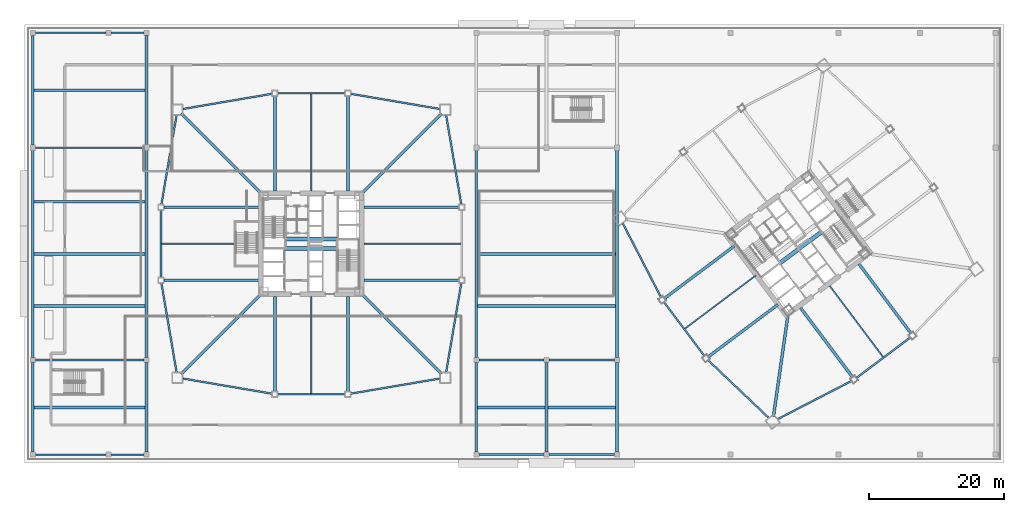
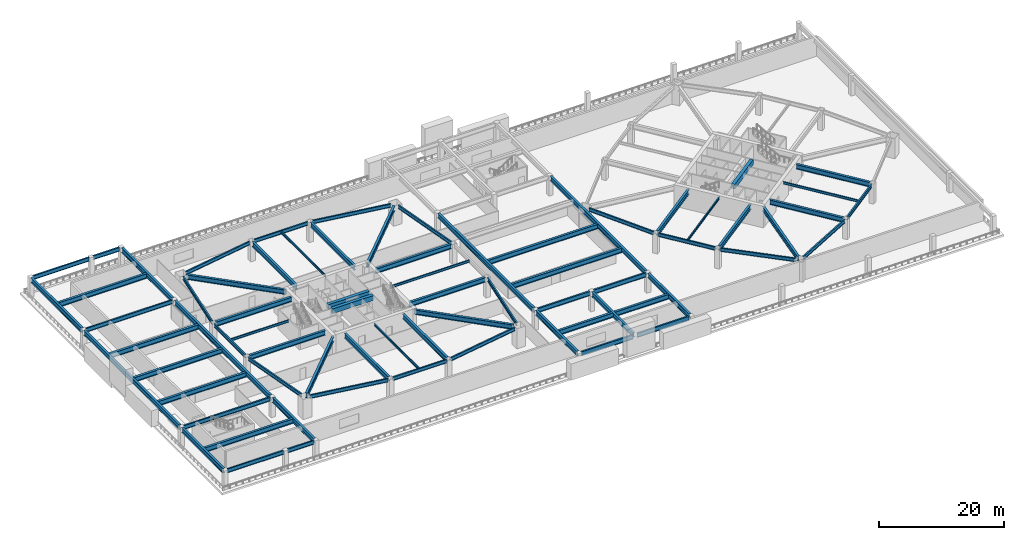
# One storey, part 3 of 20: 71 beams.
"""IFC4 building model written with IfcOpenShell, lengths in metres."""

from ifc_helpers import new_model, si_unit, direction, frame, origin, origin_2d, place, context, subcontext, project, spatial, rectangle, i_section, extrude, material, material_profile, profile_set, type_object, element, save


model = new_model("IFC4")

# Units and contexts
model_context = context("Model", 3, precision=1e-05, world=origin(), true_north=direction((0.0, 1.0)))
body_context = subcontext(model_context, "Body", "Model", "MODEL_VIEW")
ifc_project = project(units=[si_unit("LENGTHUNIT", "METRE"), si_unit("AREAUNIT", "SQUARE_METRE"), si_unit("VOLUMEUNIT", "CUBIC_METRE"), si_unit("PLANEANGLEUNIT", "RADIAN"), si_unit("MASSUNIT", "GRAM", prefix="KILO")], contexts=[model_context])

# Site, building, storey
site_placement = place(None, origin())
site = spatial("IfcSite", under=ifc_project, at=site_placement, CompositionType="ELEMENT")
building_placement = place(site_placement, origin())
building = spatial("IfcBuilding", under=site, at=building_placement, Name="Tashvorn Skyway Center", CompositionType="ELEMENT")
storey_placement = place(building_placement, frame((0.0, 0.0, 15.60009765625)))
storey = spatial("IfcBuildingStorey", under=building, at=storey_placement, Name="L03", CompositionType="ELEMENT", Elevation=15.60009765625)

# Beams
ifc_material_1 = material(Name="Steel ASTM A992 Grade 50", Category="steel")
ifc_material_profile_1 = material_profile(ifc_material_1, i_section(OverallWidth=0.26708984375, OverallDepth=0.779052734375, WebThickness=0.0166015625, FlangeThickness=0.030029296875, at=origin_2d()), Name="W30X148")
ifc_profile_set_1 = profile_set([ifc_material_profile_1], Name="Steel ASTM A992 Grade 50")
beam_type_1 = type_object("IfcBeamType", Name="BM-BEAM-W30X148", PredefinedType="BEAM", material=ifc_profile_set_1)
beam_1_placement = place(storey_placement, frame((1.169921875, 0.800048828125, 3.510498046875), z_axis=(1.0, 0.0, 0.0), x_axis=(0.0, 1.0, 0.0)))
element("IfcBeam", 1, at=beam_1_placement, inside=storey, type_object=beam_type_1, Name="L03 West Edge Girder A 01", PredefinedType="BEAM", context=body_context, shape_type="SweptSolid", body=[
    extrude(i_section(OverallWidth=0.26708984375, OverallDepth=0.779052734375, WebThickness=0.0166015625, FlangeThickness=0.030029296875, at=origin_2d()), origin(), (0.0, 0.0, 1.0), 10.4599609375),
])
beam_2_placement = place(storey_placement, frame((12.3701171875, 0.800048828125, 3.510498046875), z_axis=(1.0, 0.0, 0.0), x_axis=(0.0, 1.0, 0.0)))
element("IfcBeam", 2, at=beam_2_placement, inside=storey, type_object=beam_type_1, Name="L03 West Edge Girder B 01", PredefinedType="BEAM", context=body_context, shape_type="SweptSolid", body=[
    extrude(i_section(OverallWidth=0.26708984375, OverallDepth=0.779052734375, WebThickness=0.0166015625, FlangeThickness=0.030029296875, at=origin_2d()), origin(), (0.0, 0.0, 1.0), 4.85986328125),
])
for number, where, z_axis, x_axis, name in (
    (3, (1.169921875, 14.800048828125, 3.510498046875), (1.0, 0.0, 0.0), (0.0, 1.0, 0.0), "L03 West Auditorium Span Girder 03"),
    (4, (1.169921875, 46.199951171875, 3.510498046875), (1.0, 0.0, 0.0), (0.0, 1.0, 0.0), "L03 West Auditorium Span Girder 07"),
):
    element("IfcBeam", number, at=place(storey_placement, frame(where, z_axis=z_axis, x_axis=x_axis)), inside=storey, type_object=beam_type_1, Name=name, PredefinedType="BEAM", context=body_context, shape_type="SweptSolid", body=[
        extrude(i_section(OverallWidth=0.26708984375, OverallDepth=0.779052734375, WebThickness=0.0166015625, FlangeThickness=0.030029296875, at=origin_2d()), origin(), (0.0, 0.0, 1.0), 16.06005859375),
    ])
beam_3_placement = place(storey_placement, frame((1.169921875, 63.199951171875, 3.510498046875), z_axis=(1.0, 0.0, 0.0), x_axis=(0.0, 1.0, 0.0)))
element("IfcBeam", 5, at=beam_3_placement, inside=storey, type_object=beam_type_1, Name="L03 West Edge Girder A 09", PredefinedType="BEAM", context=body_context, shape_type="SweptSolid", body=[
    extrude(i_section(OverallWidth=0.26708984375, OverallDepth=0.779052734375, WebThickness=0.0166015625, FlangeThickness=0.030029296875, at=origin_2d()), origin(), (0.0, 0.0, 1.0), 10.4599609375),
])
beam_4_placement = place(storey_placement, frame((12.3701171875, 63.199951171875, 3.510498046875), z_axis=(1.0, 0.0, 0.0), x_axis=(0.0, 1.0, 0.0)))
element("IfcBeam", 6, at=beam_4_placement, inside=storey, type_object=beam_type_1, Name="L03 West Edge Girder B 09", PredefinedType="BEAM", context=body_context, shape_type="SweptSolid", body=[
    extrude(i_section(OverallWidth=0.26708984375, OverallDepth=0.779052734375, WebThickness=0.0166015625, FlangeThickness=0.030029296875, at=origin_2d()), origin(), (0.0, 0.0, 1.0), 4.85986328125),
])
ifc_material_profile_2 = material_profile(ifc_material_1, i_section(OverallWidth=0.2919921875, OverallDepth=0.85888671875, WebThickness=0.01708984375, FlangeThickness=0.031005859375, at=origin_2d()), Name="W33X169")
ifc_profile_set_2 = profile_set([ifc_material_profile_2], Name="Steel ASTM A992 Grade 50")
beam_type_2 = type_object("IfcBeamType", Name="BM-BEAM-W33X169", PredefinedType="BEAM", material=ifc_profile_set_2)
beam_5_placement = place(storey_placement, frame((66.77001953125, 0.800048828125, 3.470458984375), z_axis=(1.0, 0.0, 0.0), x_axis=(0.0, 1.0, 0.0)))
element("IfcBeam", 7, at=beam_5_placement, inside=storey, type_object=beam_type_2, Name="L03 Central Podium Girder A 01", PredefinedType="BEAM", context=body_context, shape_type="SweptSolid", body=[
    extrude(i_section(OverallWidth=0.2919921875, OverallDepth=0.85888671875, WebThickness=0.01708984375, FlangeThickness=0.031005859375, at=origin_2d()), origin(), (0.0, 0.0, 1.0), 9.659912109375),
])
beam_6_placement = place(storey_placement, frame((77.169921875, 0.800048828125, 3.470458984375), z_axis=(1.0, 0.0, 0.0), x_axis=(0.0, 1.0, 0.0)))
element("IfcBeam", 8, at=beam_6_placement, inside=storey, type_object=beam_type_2, Name="L03 Central Podium Girder B 01", PredefinedType="BEAM", context=body_context, shape_type="SweptSolid", body=[
    extrude(i_section(OverallWidth=0.2919921875, OverallDepth=0.85888671875, WebThickness=0.01708984375, FlangeThickness=0.031005859375, at=origin_2d()), origin(), (0.0, 0.0, 1.0), 9.66015625),
])
beam_7_placement = place(storey_placement, frame((66.77001953125, 14.800048828125, 3.470458984375), z_axis=(1.0, 0.0, 0.0), x_axis=(0.0, 1.0, 0.0)))
element("IfcBeam", 9, at=beam_7_placement, inside=storey, type_object=beam_type_2, Name="L03 Central Podium Girder A 03", PredefinedType="BEAM", context=body_context, shape_type="SweptSolid", body=[
    extrude(i_section(OverallWidth=0.2919921875, OverallDepth=0.85888671875, WebThickness=0.01708984375, FlangeThickness=0.031005859375, at=origin_2d()), origin(), (0.0, 0.0, 1.0), 9.659912109375),
])
beam_8_placement = place(storey_placement, frame((77.169921875, 14.800048828125, 3.470458984375), z_axis=(1.0, 0.0, 0.0), x_axis=(0.0, 1.0, 0.0)))
element("IfcBeam", 10, at=beam_8_placement, inside=storey, type_object=beam_type_2, Name="L03 Central Podium Girder B 03", PredefinedType="BEAM", context=body_context, shape_type="SweptSolid", body=[
    extrude(i_section(OverallWidth=0.2919921875, OverallDepth=0.85888671875, WebThickness=0.01708984375, FlangeThickness=0.031005859375, at=origin_2d()), origin(), (0.0, 0.0, 1.0), 9.66015625),
])
ifc_material_2 = material(Name="Steel ASTM A913 Grade 65", Category="steel")
ifc_material_profile_3 = material_profile(ifc_material_2, i_section(OverallWidth=0.4189453125, OverallDepth=0.927001953125, WebThickness=0.019287109375, FlangeThickness=0.031982421875, at=origin_2d()), Name="W36X231")
ifc_profile_set_3 = profile_set([ifc_material_profile_3], Name="Steel ASTM A913 Grade 65")
beam_type_3 = type_object("IfcBeamType", Name="BM-BEAM-W36X231", PredefinedType="BEAM", material=ifc_profile_set_3)
for number, where, z_axis, x_axis, name in (
    (11, (22.76220703125, 12.76220703125, 3.4365234375), (0.707106781187, 0.707106781187, 0.0), (-0.707106781187, 0.707106781187, 0.0), "Tower 1 L03 Primary Floor Girder MC-SW"),
    (12, (61.23779296875, 12.76220703125, 3.4365234375), (-0.707106781187, 0.707106781187, 0.0), (-0.707106781187, -0.707106781187, 0.0), "Tower 1 L03 Primary Floor Girder MC-SE"),
    (13, (61.23779296875, 51.23779296875, 3.4365234375), (-0.707106781187, -0.707106781187, 0.0), (0.707106781187, -0.707106781187, 0.0), "Tower 1 L03 Primary Floor Girder MC-NE"),
    (14, (22.76220703125, 51.23779296875, 3.4365234375), (0.707106781187, -0.707106781187, 0.0), (0.707106781187, 0.707106781187, 0.0), "Tower 1 L03 Primary Floor Girder MC-NW"),
):
    element("IfcBeam", number, at=place(storey_placement, frame(where, z_axis=z_axis, x_axis=x_axis)), inside=storey, type_object=beam_type_3, Name=name, PredefinedType="BEAM", context=body_context, shape_type="SweptSolid", body=[
        extrude(i_section(OverallWidth=0.4189453125, OverallDepth=0.927001953125, WebThickness=0.019287109375, FlangeThickness=0.031982421875, at=origin_2d()), origin(), (0.0, 0.0, 1.0), 16.591064453125),
    ])
for number, where, z_axis, x_axis, name in (
    (15, (36.60009765625, 10.169921875, 3.4365234375), (0.0, 1.0, 0.0), (-1.0, 0.0, 0.0), "Tower 1 L03 Primary Floor Girder FC-S1"),
    (16, (47.39990234375, 10.169921875, 3.4365234375), (0.0, 1.0, 0.0), (-1.0, 0.0, 0.0), "Tower 1 L03 Primary Floor Girder FC-S2"),
    (17, (63.830078125, 26.60009765625, 3.4365234375), (-1.0, 0.0, 0.0), (0.0, -1.0, 0.0), "Tower 1 L03 Primary Floor Girder FC-E1"),
    (18, (63.830078125, 37.39990234375, 3.4365234375), (-1.0, 0.0, 0.0), (0.0, -1.0, 0.0), "Tower 1 L03 Primary Floor Girder FC-E2"),
    (19, (47.39990234375, 53.830078125, 3.4365234375), (0.0, -1.0, 0.0), (1.0, 0.0, 0.0), "Tower 1 L03 Primary Floor Girder FC-N1"),
    (20, (36.60009765625, 53.830078125, 3.4365234375), (0.0, -1.0, 0.0), (1.0, 0.0, 0.0), "Tower 1 L03 Primary Floor Girder FC-N2"),
    (21, (20.169921875, 37.39990234375, 3.4365234375), (1.0, 0.0, 0.0), (0.0, 1.0, 0.0), "Tower 1 L03 Primary Floor Girder FC-W1"),
    (22, (20.169921875, 26.60009765625, 3.4365234375), (1.0, 0.0, 0.0), (0.0, 1.0, 0.0), "Tower 1 L03 Primary Floor Girder FC-W2"),
):
    element("IfcBeam", number, at=place(storey_placement, frame(where, z_axis=z_axis, x_axis=x_axis)), inside=storey, type_object=beam_type_3, Name=name, PredefinedType="BEAM", context=body_context, shape_type="SweptSolid", body=[
        extrude(i_section(OverallWidth=0.4189453125, OverallDepth=0.927001953125, WebThickness=0.019287109375, FlangeThickness=0.031982421875, at=origin_2d()), origin(), (0.0, 0.0, 1.0), 14.050048828125),
    ])
beam_9_placement = place(storey_placement, frame((110.3525390625, 6.467041015625, 3.4365234375), z_axis=(0.141414599991, 0.989950458816, 0.0), x_axis=(-0.989950458816, 0.141414599991, 0.0)))
element("IfcBeam", 23, at=beam_9_placement, inside=storey, type_object=beam_type_3, Name="Tower 2 L03 Primary Floor Girder MC-SW", PredefinedType="BEAM", context=body_context, shape_type="SweptSolid", body=[
    extrude(i_section(OverallWidth=0.4189453125, OverallDepth=0.927001953125, WebThickness=0.019287109375, FlangeThickness=0.031982421875, at=origin_2d()), origin(), (0.0, 0.0, 1.0), 15.177001953125),
])
beam_10_placement = place(storey_placement, frame((122.05810546875, 12.256103515625, 3.4365234375), z_axis=(-0.600018239213, 0.799986320265, 0.0), x_axis=(-0.799986320265, -0.600018239213, 0.0)))
element("IfcBeam", 24, at=beam_10_placement, inside=storey, type_object=beam_type_3, Name="Tower 2 L03 Primary Floor Girder FC-S1", PredefinedType="BEAM", context=body_context, shape_type="SweptSolid", body=[
    extrude(i_section(OverallWidth=0.4189453125, OverallDepth=0.927001953125, WebThickness=0.019287109375, FlangeThickness=0.031982421875, at=origin_2d()), origin(), (0.0, 0.0, 1.0), 12.849853515625),
])
beam_11_placement = place(storey_placement, frame((130.697998046875, 18.736083984375, 3.4365234375), z_axis=(-0.599996960112, 0.800002279907, 0.0), x_axis=(-0.800002279907, -0.599996960112, 0.0)))
element("IfcBeam", 25, at=beam_11_placement, inside=storey, type_object=beam_type_3, Name="Tower 2 L03 Primary Floor Girder FC-S2", PredefinedType="BEAM", context=body_context, shape_type="SweptSolid", body=[
    extrude(i_section(OverallWidth=0.4189453125, OverallDepth=0.927001953125, WebThickness=0.019287109375, FlangeThickness=0.031982421875, at=origin_2d()), origin(), (0.0, 0.0, 1.0), 12.85009765625),
])
beam_12_placement = place(storey_placement, frame((94.256103515625, 23.94189453125, 3.4365234375), z_axis=(0.799986320265, 0.600018239213, 0.0), x_axis=(-0.600018239213, 0.799986320265, 0.0)))
element("IfcBeam", 26, at=beam_12_placement, inside=storey, type_object=beam_type_3, Name="Tower 2 L03 Primary Floor Girder FC-W1", PredefinedType="BEAM", context=body_context, shape_type="SweptSolid", body=[
    extrude(i_section(OverallWidth=0.4189453125, OverallDepth=0.927001953125, WebThickness=0.019287109375, FlangeThickness=0.031982421875, at=origin_2d()), origin(), (0.0, 0.0, 1.0), 12.849853515625),
])
beam_13_placement = place(storey_placement, frame((100.736083984375, 15.302001953125, 3.4365234375), z_axis=(0.800002279907, 0.599996960112, 0.0), x_axis=(-0.599996960112, 0.800002279907, 0.0)))
element("IfcBeam", 27, at=beam_13_placement, inside=storey, type_object=beam_type_3, Name="Tower 2 L03 Primary Floor Girder FC-W2", PredefinedType="BEAM", context=body_context, shape_type="SweptSolid", body=[
    extrude(i_section(OverallWidth=0.4189453125, OverallDepth=0.927001953125, WebThickness=0.019287109375, FlangeThickness=0.031982421875, at=origin_2d()), origin(), (0.0, 0.0, 1.0), 12.85009765625),
])
beam_14_placement = place(storey_placement, frame((0.800048828125, 1.169921875, 3.4365234375), z_axis=(0.0, 1.0, 0.0), x_axis=(-1.0, 0.0, 0.0)))
element("IfcBeam", 28, at=beam_14_placement, inside=storey, type_object=beam_type_3, Name="L03 North-South Podium Girder 01-S", PredefinedType="BEAM", context=body_context, shape_type="SweptSolid", body=[
    extrude(i_section(OverallWidth=0.4189453125, OverallDepth=0.927001953125, WebThickness=0.019287109375, FlangeThickness=0.031982421875, at=origin_2d()), origin(), (0.0, 0.0, 1.0), 13.260009765625),
])
beam_15_placement = place(storey_placement, frame((0.800048828125, 15.169921875, 3.4365234375), z_axis=(0.0, 1.0, 0.0), x_axis=(-1.0, 0.0, 0.0)))
element("IfcBeam", 29, at=beam_15_placement, inside=storey, type_object=beam_type_3, Name="L03 North-South Podium Girder 01-M", PredefinedType="BEAM", context=body_context, shape_type="SweptSolid", body=[
    extrude(i_section(OverallWidth=0.4189453125, OverallDepth=0.927001953125, WebThickness=0.019287109375, FlangeThickness=0.031982421875, at=origin_2d()), origin(), (0.0, 0.0, 1.0), 30.66015625),
])
beam_16_placement = place(storey_placement, frame((0.800048828125, 46.570068359375, 3.4365234375), z_axis=(0.0, 1.0, 0.0), x_axis=(-1.0, 0.0, 0.0)))
element("IfcBeam", 30, at=beam_16_placement, inside=storey, type_object=beam_type_3, Name="L03 North-South Podium Girder 01-N", PredefinedType="BEAM", context=body_context, shape_type="SweptSolid", body=[
    extrude(i_section(OverallWidth=0.4189453125, OverallDepth=0.927001953125, WebThickness=0.019287109375, FlangeThickness=0.031982421875, at=origin_2d()), origin(), (0.0, 0.0, 1.0), 16.260009765625),
])
beam_17_placement = place(storey_placement, frame((17.60009765625, 1.169921875, 3.4365234375), z_axis=(0.0, 1.0, 0.0), x_axis=(-1.0, 0.0, 0.0)))
element("IfcBeam", 31, at=beam_17_placement, inside=storey, type_object=beam_type_3, Name="L03 North-South Podium Girder 02-S", PredefinedType="BEAM", context=body_context, shape_type="SweptSolid", body=[
    extrude(i_section(OverallWidth=0.4189453125, OverallDepth=0.927001953125, WebThickness=0.019287109375, FlangeThickness=0.031982421875, at=origin_2d()), origin(), (0.0, 0.0, 1.0), 13.260009765625),
])
beam_18_placement = place(storey_placement, frame((17.60009765625, 15.169921875, 3.4365234375), z_axis=(0.0, 1.0, 0.0), x_axis=(-1.0, 0.0, 0.0)))
element("IfcBeam", 32, at=beam_18_placement, inside=storey, type_object=beam_type_3, Name="L03 North-South Podium Girder 02-M", PredefinedType="BEAM", context=body_context, shape_type="SweptSolid", body=[
    extrude(i_section(OverallWidth=0.4189453125, OverallDepth=0.927001953125, WebThickness=0.019287109375, FlangeThickness=0.031982421875, at=origin_2d()), origin(), (0.0, 0.0, 1.0), 30.66015625),
])
beam_19_placement = place(storey_placement, frame((17.60009765625, 46.570068359375, 3.4365234375), z_axis=(0.0, 1.0, 0.0), x_axis=(-1.0, 0.0, 0.0)))
element("IfcBeam", 33, at=beam_19_placement, inside=storey, type_object=beam_type_3, Name="L03 North-South Podium Girder 02-N", PredefinedType="BEAM", context=body_context, shape_type="SweptSolid", body=[
    extrude(i_section(OverallWidth=0.4189453125, OverallDepth=0.927001953125, WebThickness=0.019287109375, FlangeThickness=0.031982421875, at=origin_2d()), origin(), (0.0, 0.0, 1.0), 16.260009765625),
])
beam_20_placement = place(storey_placement, frame((66.39990234375, 1.169921875, 3.4365234375), z_axis=(0.0, 1.0, 0.0), x_axis=(-1.0, 0.0, 0.0)))
element("IfcBeam", 34, at=beam_20_placement, inside=storey, type_object=beam_type_3, Name="L03 North-South Podium Girder 03-S", PredefinedType="BEAM", context=body_context, shape_type="SweptSolid", body=[
    extrude(i_section(OverallWidth=0.4189453125, OverallDepth=0.927001953125, WebThickness=0.019287109375, FlangeThickness=0.031982421875, at=origin_2d()), origin(), (0.0, 0.0, 1.0), 13.260009765625),
])
beam_21_placement = place(storey_placement, frame((66.39990234375, 15.169921875, 3.4365234375), z_axis=(0.0, 1.0, 0.0), x_axis=(-1.0, 0.0, 0.0)))
element("IfcBeam", 35, at=beam_21_placement, inside=storey, type_object=beam_type_3, Name="L03 North-South Podium Girder 03-M", PredefinedType="BEAM", context=body_context, shape_type="SweptSolid", body=[
    extrude(i_section(OverallWidth=0.4189453125, OverallDepth=0.927001953125, WebThickness=0.019287109375, FlangeThickness=0.031982421875, at=origin_2d()), origin(), (0.0, 0.0, 1.0), 30.66015625),
])
for number, where, z_axis, x_axis, name in (
    (36, (76.800048828125, 1.169921875, 3.4365234375), (0.0, 1.0, 0.0), (-1.0, 0.0, 0.0), "L03 North-South Podium Girder 04-S"),
    (37, (87.199951171875, 1.169921875, 3.4365234375), (0.0, 1.0, 0.0), (-1.0, 0.0, 0.0), "L03 North-South Podium Girder 05-S"),
):
    element("IfcBeam", number, at=place(storey_placement, frame(where, z_axis=z_axis, x_axis=x_axis)), inside=storey, type_object=beam_type_3, Name=name, PredefinedType="BEAM", context=body_context, shape_type="SweptSolid", body=[
        extrude(i_section(OverallWidth=0.4189453125, OverallDepth=0.927001953125, WebThickness=0.019287109375, FlangeThickness=0.031982421875, at=origin_2d()), origin(), (0.0, 0.0, 1.0), 13.260009765625),
    ])
beam_22_placement = place(storey_placement, frame((87.199951171875, 15.169921875, 3.4365234375), z_axis=(0.0, 1.0, 0.0), x_axis=(-1.0, 0.0, 0.0)))
element("IfcBeam", 38, at=beam_22_placement, inside=storey, type_object=beam_type_3, Name="L03 North-South Podium Girder 05-M", PredefinedType="BEAM", context=body_context, shape_type="SweptSolid", body=[
    extrude(i_section(OverallWidth=0.4189453125, OverallDepth=0.927001953125, WebThickness=0.019287109375, FlangeThickness=0.031982421875, at=origin_2d()), origin(), (0.0, 0.0, 1.0), 30.66015625),
])
beam_23_placement = place(storey_placement, frame((1.00146484375, 7.800048828125, 3.4365234375), z_axis=(1.0, 0.0, 0.0), x_axis=(0.0, 1.0, 0.0)))
element("IfcBeam", 39, at=beam_23_placement, inside=storey, type_object=beam_type_3, Name="L03 West Auditorium Span Girder 02", PredefinedType="BEAM", context=body_context, shape_type="SweptSolid", body=[
    extrude(i_section(OverallWidth=0.4189453125, OverallDepth=0.927001953125, WebThickness=0.019287109375, FlangeThickness=0.031982421875, at=origin_2d()), origin(), (0.0, 0.0, 1.0), 16.39697265625),
])
beam_24_placement = place(storey_placement, frame((66.6015625, 7.800048828125, 3.4365234375), z_axis=(1.0, 0.0, 0.0), x_axis=(0.0, 1.0, 0.0)))
element("IfcBeam", 40, at=beam_24_placement, inside=storey, type_object=beam_type_3, Name="L03 Central Concourse Span Girder 02", PredefinedType="BEAM", context=body_context, shape_type="SweptSolid", body=[
    extrude(i_section(OverallWidth=0.4189453125, OverallDepth=0.927001953125, WebThickness=0.019287109375, FlangeThickness=0.031982421875, at=origin_2d()), origin(), (0.0, 0.0, 1.0), 20.39697265625),
])
beam_25_placement = place(storey_placement, frame((1.00146484375, 22.800048828125, 3.4365234375), z_axis=(1.0, 0.0, 0.0), x_axis=(0.0, 1.0, 0.0)))
element("IfcBeam", 41, at=beam_25_placement, inside=storey, type_object=beam_type_3, Name="L03 West Auditorium Span Girder 04", PredefinedType="BEAM", context=body_context, shape_type="SweptSolid", body=[
    extrude(i_section(OverallWidth=0.4189453125, OverallDepth=0.927001953125, WebThickness=0.019287109375, FlangeThickness=0.031982421875, at=origin_2d()), origin(), (0.0, 0.0, 1.0), 16.39697265625),
])
beam_26_placement = place(storey_placement, frame((66.6015625, 22.800048828125, 3.4365234375), z_axis=(1.0, 0.0, 0.0), x_axis=(0.0, 1.0, 0.0)))
element("IfcBeam", 42, at=beam_26_placement, inside=storey, type_object=beam_type_3, Name="L03 Central Concourse Span Girder 04", PredefinedType="BEAM", context=body_context, shape_type="SweptSolid", body=[
    extrude(i_section(OverallWidth=0.4189453125, OverallDepth=0.927001953125, WebThickness=0.019287109375, FlangeThickness=0.031982421875, at=origin_2d()), origin(), (0.0, 0.0, 1.0), 20.39697265625),
])
beam_27_placement = place(storey_placement, frame((1.00146484375, 30.5, 3.4365234375), z_axis=(1.0, 0.0, 0.0), x_axis=(0.0, 1.0, 0.0)))
element("IfcBeam", 43, at=beam_27_placement, inside=storey, type_object=beam_type_3, Name="L03 West Auditorium Span Girder 05", PredefinedType="BEAM", context=body_context, shape_type="SweptSolid", body=[
    extrude(i_section(OverallWidth=0.4189453125, OverallDepth=0.927001953125, WebThickness=0.019287109375, FlangeThickness=0.031982421875, at=origin_2d()), origin(), (0.0, 0.0, 1.0), 16.39697265625),
])
beam_28_placement = place(storey_placement, frame((66.6015625, 30.5, 3.4365234375), z_axis=(1.0, 0.0, 0.0), x_axis=(0.0, 1.0, 0.0)))
element("IfcBeam", 44, at=beam_28_placement, inside=storey, type_object=beam_type_3, Name="L03 Central Concourse Span Girder 05", PredefinedType="BEAM", context=body_context, shape_type="SweptSolid", body=[
    extrude(i_section(OverallWidth=0.4189453125, OverallDepth=0.927001953125, WebThickness=0.019287109375, FlangeThickness=0.031982421875, at=origin_2d()), origin(), (0.0, 0.0, 1.0), 20.39697265625),
])
for number, where, z_axis, x_axis, name in (
    (45, (1.00146484375, 38.199951171875, 3.4365234375), (1.0, 0.0, 0.0), (0.0, 1.0, 0.0), "L03 West Auditorium Span Girder 06"),
    (46, (1.00146484375, 54.699951171875, 3.4365234375), (1.0, 0.0, 0.0), (0.0, 1.0, 0.0), "L03 West Auditorium Span Girder 08"),
):
    element("IfcBeam", number, at=place(storey_placement, frame(where, z_axis=z_axis, x_axis=x_axis)), inside=storey, type_object=beam_type_3, Name=name, PredefinedType="BEAM", context=body_context, shape_type="SweptSolid", body=[
        extrude(i_section(OverallWidth=0.4189453125, OverallDepth=0.927001953125, WebThickness=0.019287109375, FlangeThickness=0.031982421875, at=origin_2d()), origin(), (0.0, 0.0, 1.0), 16.39697265625),
    ])
ifc_material_profile_4 = material_profile(ifc_material_1, i_section(OverallWidth=0.19091796875, OverallDepth=0.4599609375, WebThickness=0.010009765625, FlangeThickness=0.01611328125, at=origin_2d()), Name="W18X55")
ifc_profile_set_4 = profile_set([ifc_material_profile_4], Name="Steel ASTM A992 Grade 50")
beam_type_4 = type_object("IfcBeamType", Name="BM-JOIST-W18X55", PredefinedType="JOIST", material=ifc_profile_set_4)
for number, where, z_axis, x_axis, name in (
    (47, (42.0, 24.2099609375, 3.669921875), (0.0, -1.0, 0.0), (1.0, 0.0, 0.0), "Tower 1 L03 Secondary Composite Joist JS"),
    (48, (42.0, 39.7900390625, 3.669921875), (0.0, 1.0, 0.0), (-1.0, 0.0, 0.0), "Tower 1 L03 Secondary Composite Joist JN"),
    (49, (49.7900390625, 32.0, 3.669921875), (1.0, 0.0, 0.0), (0.0, 1.0, 0.0), "Tower 1 L03 Secondary Composite Joist JE"),
):
    element("IfcBeam", number, at=place(storey_placement, frame(where, z_axis=z_axis, x_axis=x_axis)), inside=storey, type_object=beam_type_4, Name=name, PredefinedType="JOIST", context=body_context, shape_type="SweptSolid", body=[
        extrude(i_section(OverallWidth=0.19091796875, OverallDepth=0.4599609375, WebThickness=0.010009765625, FlangeThickness=0.01611328125, at=origin_2d()), origin(), (0.0, 0.0, 1.0), 14.33984375),
    ])
beam_29_placement = place(storey_placement, frame((30.610107421875, 32.0, 3.669921875), z_axis=(-1.0, 0.0, 0.0), x_axis=(0.0, -1.0, 0.0)))
element("IfcBeam", 50, at=beam_29_placement, inside=storey, type_object=beam_type_4, Name="Tower 1 L03 Secondary Composite Joist JW", PredefinedType="JOIST", context=body_context, shape_type="SweptSolid", body=[
    extrude(i_section(OverallWidth=0.19091796875, OverallDepth=0.4599609375, WebThickness=0.010009765625, FlangeThickness=0.01611328125, at=origin_2d()), origin(), (0.0, 0.0, 1.0), 10.739990234375),
])
for number, where, z_axis, x_axis, name in (
    (51, (118.674072265625, 25.76806640625, 3.669921875), (0.600002972791, -0.799997770398, 0.0), (0.799997770398, 0.600002972791, 0.0), "Tower 2 L03 Secondary Composite Joist JS"),
    (52, (107.76806640625, 27.325927734375, 3.669921875), (-0.799997770398, -0.600002972791, 0.0), (0.600002972791, -0.799997770398, 0.0), "Tower 2 L03 Secondary Composite Joist JW"),
):
    element("IfcBeam", number, at=place(storey_placement, frame(where, z_axis=z_axis, x_axis=x_axis)), inside=storey, type_object=beam_type_4, Name=name, PredefinedType="JOIST", context=body_context, shape_type="SweptSolid", body=[
        extrude(i_section(OverallWidth=0.19091796875, OverallDepth=0.4599609375, WebThickness=0.010009765625, FlangeThickness=0.01611328125, at=origin_2d()), origin(), (0.0, 0.0, 1.0), 13.139892578125),
    ])
ifc_material_3 = material(Name="Concrete C60/75", Category="concrete")
ifc_material_profile_5 = material_profile(ifc_material_3, rectangle(XDim=0.60009765625, YDim=0.949951171875, at=origin_2d()), Name="RCB600x950")
ifc_profile_set_5 = profile_set([ifc_material_profile_5], Name="Concrete C60/75")
beam_type_5 = type_object("IfcBeamType", Name="BM-LINTEL-RCB600x950", PredefinedType="LINTEL", material=ifc_profile_set_5)
for number, where, z_axis, x_axis, name in (
    (53, (38.199951171875, 32.679931640625, 3.4248046875), (1.0, 0.0, 0.0), (0.0, 1.0, 0.0), "Tower 1 L03 Core Coupling Beam CN"),
    (54, (38.199951171875, 31.320068359375, 3.4248046875), (1.0, 0.0, 0.0), (0.0, 1.0, 0.0), "Tower 1 L03 Core Coupling Beam CS"),
    (55, (111.367919921875, 29.176025390625, 3.4248046875), (0.8, 0.6, 0.0), (-0.6, 0.8, 0.0), "Tower 2 L03 Core Coupling Beam CS"),
):
    element("IfcBeam", number, at=place(storey_placement, frame(where, z_axis=z_axis, x_axis=x_axis)), inside=storey, type_object=beam_type_5, Name=name, PredefinedType="LINTEL", context=body_context, shape_type="SweptSolid", body=[
        extrude(rectangle(XDim=0.60009765625, YDim=0.949951171875, at=origin_2d()), origin(), (0.0, 0.0, 1.0), 7.60009765625),
    ])
ifc_material_profile_6 = material_profile(ifc_material_1, i_section(OverallWidth=0.256103515625, OverallDepth=0.693115234375, WebThickness=0.014404296875, FlangeThickness=0.023681640625, at=origin_2d()), Name="W27X114")
ifc_profile_set_6 = profile_set([ifc_material_profile_6], Name="Steel ASTM A992 Grade 50")
beam_type_6 = type_object("IfcBeamType", Name="BM-SPANDREL-W27X114", PredefinedType="SPANDREL", material=ifc_profile_set_6)
beam_30_placement = place(storey_placement, frame((22.983642578125, 12.066650390625, 3.553466796875), z_axis=(0.985835025551, -0.16771792509, 0.0), x_axis=(0.16771792509, 0.985835025551, 0.0)))
element("IfcBeam", 56, at=beam_30_placement, inside=storey, type_object=beam_type_6, Name="Tower 1 L03 Spandrel Beam 01", PredefinedType="SPANDREL", context=body_context, shape_type="SweptSolid", body=[
    extrude(i_section(OverallWidth=0.256103515625, OverallDepth=0.693115234375, WebThickness=0.014404296875, FlangeThickness=0.023681640625, at=origin_2d()), origin(), (0.0, 0.0, 1.0), 13.39208984375),
])
beam_31_placement = place(storey_placement, frame((37.02001953125, 9.75, 3.553466796875), z_axis=(1.0, 0.0, 0.0), x_axis=(0.0, 1.0, 0.0)))
element("IfcBeam", 57, at=beam_31_placement, inside=storey, type_object=beam_type_6, Name="Tower 1 L03 Spandrel Beam 02", PredefinedType="SPANDREL", context=body_context, shape_type="SweptSolid", body=[
    extrude(i_section(OverallWidth=0.256103515625, OverallDepth=0.693115234375, WebThickness=0.014404296875, FlangeThickness=0.023681640625, at=origin_2d()), origin(), (0.0, 0.0, 1.0), 9.9599609375),
])
for number, where, z_axis, x_axis, name in (
    (58, (47.81396484375, 9.820556640625, 3.553466796875), (0.985835025551, 0.16771792509, 0.0), (-0.16771792509, 0.985835025551, 0.0), "Tower 1 L03 Spandrel Beam 03"),
    (59, (61.933349609375, 12.983642578125, 3.553466796875), (0.16771792509, 0.985835025551, 0.0), (-0.985835025551, 0.16771792509, 0.0), "Tower 1 L03 Spandrel Beam 04"),
    (60, (64.179443359375, 37.81396484375, 3.553466796875), (-0.16771792509, 0.985835025551, 0.0), (-0.985835025551, -0.16771792509, 0.0), "Tower 1 L03 Spandrel Beam 06"),
    (61, (61.016357421875, 51.933349609375, 3.553466796875), (-0.985835025551, 0.16771792509, 0.0), (-0.16771792509, -0.985835025551, 0.0), "Tower 1 L03 Spandrel Beam 07"),
):
    element("IfcBeam", number, at=place(storey_placement, frame(where, z_axis=z_axis, x_axis=x_axis)), inside=storey, type_object=beam_type_6, Name=name, PredefinedType="SPANDREL", context=body_context, shape_type="SweptSolid", body=[
        extrude(i_section(OverallWidth=0.256103515625, OverallDepth=0.693115234375, WebThickness=0.014404296875, FlangeThickness=0.023681640625, at=origin_2d()), origin(), (0.0, 0.0, 1.0), 13.39208984375),
    ])
beam_32_placement = place(storey_placement, frame((46.97998046875, 54.25, 3.553466796875), z_axis=(-1.0, 0.0, 0.0), x_axis=(0.0, -1.0, 0.0)))
element("IfcBeam", 62, at=beam_32_placement, inside=storey, type_object=beam_type_6, Name="Tower 1 L03 Spandrel Beam 08", PredefinedType="SPANDREL", context=body_context, shape_type="SweptSolid", body=[
    extrude(i_section(OverallWidth=0.256103515625, OverallDepth=0.693115234375, WebThickness=0.014404296875, FlangeThickness=0.023681640625, at=origin_2d()), origin(), (0.0, 0.0, 1.0), 9.9599609375),
])
for number, where, z_axis, x_axis, name in (
    (63, (36.18603515625, 54.179443359375, 3.553466796875), (-0.985835025551, -0.16771792509, 0.0), (0.16771792509, -0.985835025551, 0.0), "Tower 1 L03 Spandrel Beam 09"),
    (64, (22.066650390625, 51.016357421875, 3.553466796875), (-0.16771792509, -0.985835025551, 0.0), (0.985835025551, -0.16771792509, 0.0), "Tower 1 L03 Spandrel Beam 10"),
):
    element("IfcBeam", number, at=place(storey_placement, frame(where, z_axis=z_axis, x_axis=x_axis)), inside=storey, type_object=beam_type_6, Name=name, PredefinedType="SPANDREL", context=body_context, shape_type="SweptSolid", body=[
        extrude(i_section(OverallWidth=0.256103515625, OverallDepth=0.693115234375, WebThickness=0.014404296875, FlangeThickness=0.023681640625, at=origin_2d()), origin(), (0.0, 0.0, 1.0), 13.39208984375),
    ])
beam_33_placement = place(storey_placement, frame((19.75, 36.97998046875, 3.553466796875), z_axis=(0.0, -1.0, 0.0), x_axis=(1.0, 0.0, 0.0)))
element("IfcBeam", 65, at=beam_33_placement, inside=storey, type_object=beam_type_6, Name="Tower 1 L03 Spandrel Beam 11", PredefinedType="SPANDREL", context=body_context, shape_type="SweptSolid", body=[
    extrude(i_section(OverallWidth=0.256103515625, OverallDepth=0.693115234375, WebThickness=0.014404296875, FlangeThickness=0.023681640625, at=origin_2d()), origin(), (0.0, 0.0, 1.0), 9.9599609375),
])
beam_34_placement = place(storey_placement, frame((19.820556640625, 26.18603515625, 3.553466796875), z_axis=(0.16771792509, -0.985835025551, 0.0), x_axis=(0.985835025551, 0.16771792509, 0.0)))
element("IfcBeam", 66, at=beam_34_placement, inside=storey, type_object=beam_type_6, Name="Tower 1 L03 Spandrel Beam 12", PredefinedType="SPANDREL", context=body_context, shape_type="SweptSolid", body=[
    extrude(i_section(OverallWidth=0.256103515625, OverallDepth=0.693115234375, WebThickness=0.014404296875, FlangeThickness=0.023681640625, at=origin_2d()), origin(), (0.0, 0.0, 1.0), 13.39208984375),
])
beam_35_placement = place(storey_placement, frame((110.9462890625, 6.045166015625, 3.553466796875), z_axis=(0.888315637339, 0.459233413919, 0.0), x_axis=(-0.459233413919, 0.888315637339, 0.0)))
element("IfcBeam", 67, at=beam_35_placement, inside=storey, type_object=beam_type_6, Name="Tower 2 L03 Spandrel Beam 01", PredefinedType="SPANDREL", context=body_context, shape_type="SweptSolid", body=[
    extrude(i_section(OverallWidth=0.256103515625, OverallDepth=0.693115234375, WebThickness=0.014404296875, FlangeThickness=0.023681640625, at=origin_2d()), origin(), (0.0, 0.0, 1.0), 12.37255859375),
])
beam_36_placement = place(storey_placement, frame((122.64599609375, 12.172119140625, 3.553466796875), z_axis=(0.800008824351, 0.599988234018, 0.0), x_axis=(-0.599988234018, 0.800008824351, 0.0)))
element("IfcBeam", 68, at=beam_36_placement, inside=storey, type_object=beam_type_6, Name="Tower 2 L03 Spandrel Beam 02", PredefinedType="SPANDREL", context=body_context, shape_type="SweptSolid", body=[
    extrude(i_section(OverallWidth=0.256103515625, OverallDepth=0.693115234375, WebThickness=0.014404296875, FlangeThickness=0.023681640625, at=origin_2d()), origin(), (0.0, 0.0, 1.0), 9.9599609375),
])
beam_37_placement = place(storey_placement, frame((88.045166015625, 35.0537109375, 3.553466796875), z_axis=(0.459233413919, -0.888315637339, 0.0), x_axis=(0.888315637339, 0.459233413919, 0.0)))
element("IfcBeam", 69, at=beam_37_placement, inside=storey, type_object=beam_type_6, Name="Tower 2 L03 Spandrel Beam 10", PredefinedType="SPANDREL", context=body_context, shape_type="SweptSolid", body=[
    extrude(i_section(OverallWidth=0.256103515625, OverallDepth=0.693115234375, WebThickness=0.014404296875, FlangeThickness=0.023681640625, at=origin_2d()), origin(), (0.0, 0.0, 1.0), 12.37255859375),
])
beam_38_placement = place(storey_placement, frame((94.172119140625, 23.35400390625, 3.553466796875), z_axis=(0.599988234018, -0.800008824351, 0.0), x_axis=(0.800008824351, 0.599988234018, 0.0)))
element("IfcBeam", 70, at=beam_38_placement, inside=storey, type_object=beam_type_6, Name="Tower 2 L03 Spandrel Beam 11", PredefinedType="SPANDREL", context=body_context, shape_type="SweptSolid", body=[
    extrude(i_section(OverallWidth=0.256103515625, OverallDepth=0.693115234375, WebThickness=0.014404296875, FlangeThickness=0.023681640625, at=origin_2d()), origin(), (0.0, 0.0, 1.0), 9.9599609375),
])
beam_39_placement = place(storey_placement, frame((100.7041015625, 14.76025390625, 3.553466796875), z_axis=(0.724200339835, -0.689589637236, 0.0), x_axis=(0.689589637236, 0.724200339835, 0.0)))
element("IfcBeam", 71, at=beam_39_placement, inside=storey, type_object=beam_type_6, Name="Tower 2 L03 Spandrel Beam 12", PredefinedType="SPANDREL", context=body_context, shape_type="SweptSolid", body=[
    extrude(i_section(OverallWidth=0.256103515625, OverallDepth=0.693115234375, WebThickness=0.014404296875, FlangeThickness=0.023681640625, at=origin_2d()), origin(), (0.0, 0.0, 1.0), 12.37255859375),
])

save(model, "model.ifc")
